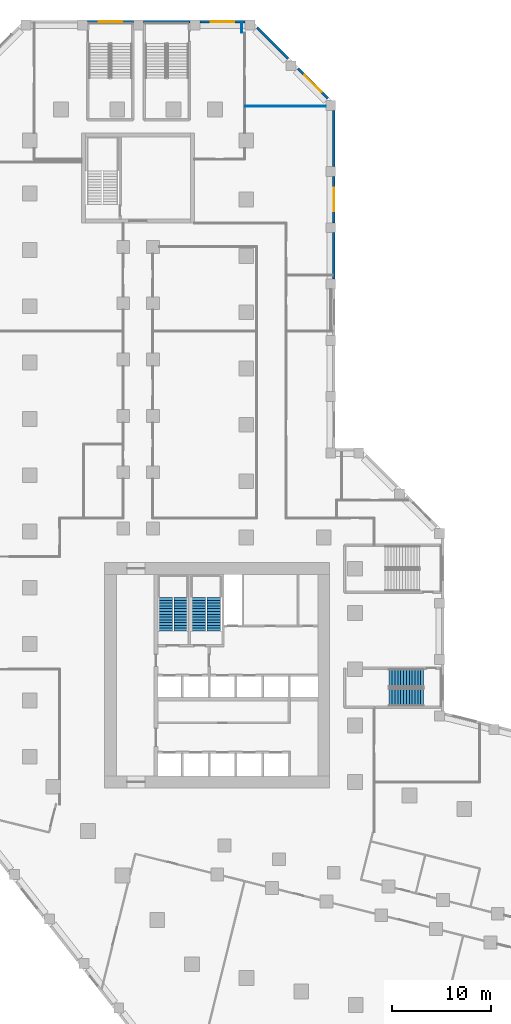
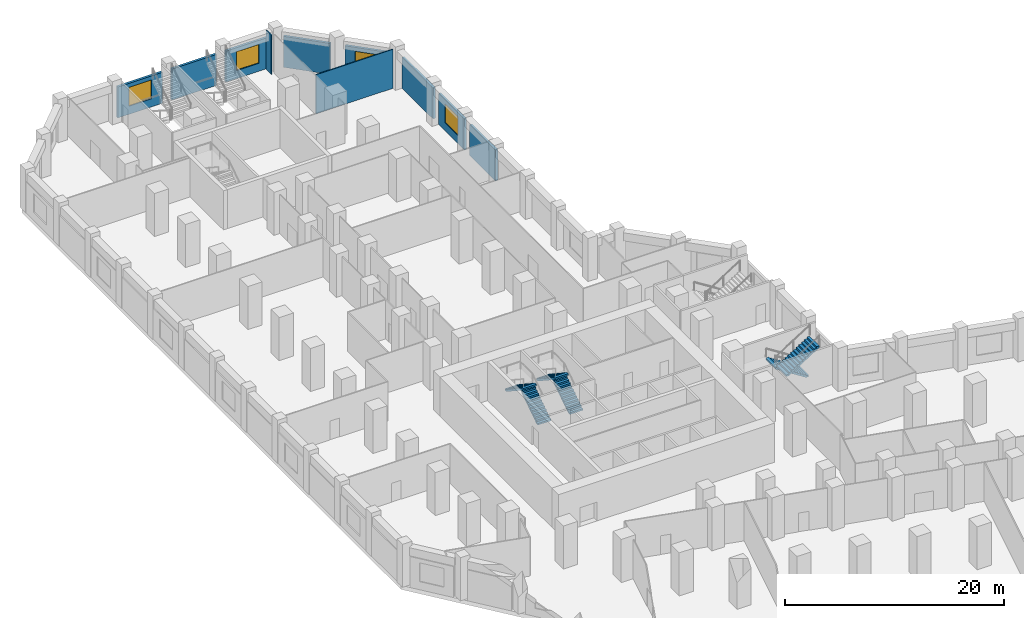
# One storey, part 10 of 15: 10 walls, 6 stair flights, 4 windows, 4 openings, 3 elements without a shape of their own.
"""IFC4 building model written with IfcOpenShell, lengths in metres."""

import ifcopenshell
import ifcopenshell.guid

model = None  # the IFC model being written
_history = None  # IfcOwnerHistory: only IFC2X3 demands one
_inside = {}  # id of a spatial element -> (the spatial element, [elements in it])
_under = {}  # id of a project, library or spatial element -> (it, [spatial elements below it])
_declared = {}  # id of a project -> (the project, [libraries it declares])
_typed = {}  # id of a type object -> (the type object, [elements of that type])
_made_of = {}  # id of a material, layer set ... -> (it, [elements and type objects made of it])


def new_model(schema):
    """Start an empty IFC model of exactly this schema.

    Asked for "IFC4X3", IfcOpenShell would pick the latest addendum, in which some entities
    have other attributes; the version numbers below select the first issue.
    IFC2X3 requires an IfcOwnerHistory on every rooted entity: one is made here for all.
    """
    global model, _history
    if schema == "IFC4X3":
        model = ifcopenshell.file(schema_version=(4, 3, 0, 0))
    else:
        model = ifcopenshell.file(schema=schema)
    _inside.clear()
    _under.clear()
    _declared.clear()
    _typed.clear()
    _made_of.clear()
    _history = None
    if model.schema == "IFC2X3":
        org = make("IfcOrganization", Name="unknown")
        user = make(
            "IfcPersonAndOrganization",
            ThePerson=make("IfcPerson", FamilyName="unknown"),
            TheOrganization=org,
        )
        app = make(
            "IfcApplication",
            ApplicationDeveloper=org,
            Version="unknown",
            ApplicationFullName="unknown",
            ApplicationIdentifier="unknown",
        )
        _history = make(
            "IfcOwnerHistory",
            OwningUser=user,
            OwningApplication=app,
            ChangeAction="ADDED",
            CreationDate=0,
        )
    return model


def make(cls, **values):
    """One entity of the class cls with the attributes given. An attribute that is None is left unset."""
    return model.create_entity(
        cls, **{name: value for name, value in values.items() if value is not None}
    )


def rooted(cls, **values):
    """An entity with a GlobalId (a new one), such as an element, a storey or a relation."""
    return make(cls, GlobalId=ifcopenshell.guid.new(), OwnerHistory=_history, **values)


def si_unit(unit_type, name, prefix=None):
    """IfcSIUnit, for example si_unit("LENGTHUNIT", "METRE", prefix="MILLI")."""
    return make("IfcSIUnit", UnitType=unit_type, Prefix=prefix, Name=name)


def assignment(units):
    """IfcUnitAssignment: the units of a project."""
    return None if units is None else make("IfcUnitAssignment", Units=units)


def point(xyz):
    """IfcCartesianPoint."""
    return None if xyz is None else make("IfcCartesianPoint", Coordinates=xyz)


def direction(xyz):
    """IfcDirection."""
    return None if xyz is None else make("IfcDirection", DirectionRatios=xyz)


def frame(location, z_axis=None, x_axis=None):
    """IfcAxis2Placement3D, a coordinate frame: its origin and axes. An axis left out is left unset."""
    return make(
        "IfcAxis2Placement3D",
        Location=point(location),
        Axis=direction(z_axis),
        RefDirection=direction(x_axis),
    )


def frame_2d(location, x_axis=None):
    """IfcAxis2Placement2D, a coordinate frame in the plane: its origin and x axis."""
    return make(
        "IfcAxis2Placement2D", Location=point(location), RefDirection=direction(x_axis)
    )


def origin():
    """The frame at (0, 0, 0) with its axes left unset."""
    return frame((0.0, 0.0, 0.0))


def place(relative_to, where):
    """IfcLocalPlacement: puts the frame where relative to a parent placement (None: the world)."""
    return make(
        "IfcLocalPlacement", PlacementRelTo=relative_to, RelativePlacement=where
    )


def context(
    kind, dimensions, precision=None, world=None, true_north=None, identifier=None
):
    """IfcGeometricRepresentationContext, for example the 3D "Model" context."""
    return make(
        "IfcGeometricRepresentationContext",
        ContextIdentifier=identifier,
        ContextType=kind,
        CoordinateSpaceDimension=dimensions,
        Precision=precision,
        WorldCoordinateSystem=world,
        TrueNorth=true_north,
    )


def subcontext(parent, identifier, kind, view, scale=None):
    """IfcGeometricRepresentationSubContext, for example "Body" below "Model"."""
    return make(
        "IfcGeometricRepresentationSubContext",
        ContextIdentifier=identifier,
        ContextType=kind,
        ParentContext=parent,
        TargetScale=scale,
        TargetView=view,
    )


def project(units=None, contexts=None):
    """IfcProject with its units and contexts."""
    return rooted(
        "IfcProject",
        Name="project",
        RepresentationContexts=contexts,
        UnitsInContext=assignment(units),
    )


def spatial(cls, under=None, at=None, **own):
    """A site, building, storey or space (cls), placed at a placement, below another one or the project."""
    s = rooted(cls, ObjectPlacement=at, **own)
    if under is not None:
        _under.setdefault(under.id(), (under, []))[1].append(s)
    return s


def polyline(points):
    """IfcPolyline through the points."""
    return make("IfcPolyline", Points=[point(p) for p in points])


def profile(cls, at=None, kind="AREA", **sizes):
    """A parametric profile (cls). Its sizes go by their IFC names, for example OverallWidth=200.0."""
    return make(cls, ProfileType=kind, Position=at, **sizes)


def rectangle(**sizes):
    """IfcRectangleProfileDef."""
    return profile("IfcRectangleProfileDef", **sizes)


def outline(outer, holes=None, kind="AREA"):
    """IfcArbitraryClosedProfileDef: a profile drawn as a closed curve; with holes, ...WithVoids."""
    if holes is None:
        return make("IfcArbitraryClosedProfileDef", ProfileType=kind, OuterCurve=outer)
    return make(
        "IfcArbitraryProfileDefWithVoids",
        ProfileType=kind,
        OuterCurve=outer,
        InnerCurves=holes,
    )


def extrude(swept, where, along, depth):
    """IfcExtrudedAreaSolid: the profile swept, set in the frame where, extruded along a direction by depth."""
    return make(
        "IfcExtrudedAreaSolid",
        SweptArea=swept,
        Position=where,
        ExtrudedDirection=direction(along),
        Depth=depth,
    )


def shape(context_of_items, identifier, shape_type, items):
    """IfcShapeRepresentation: the items that make up one representation, for example the "Body"."""
    return make(
        "IfcShapeRepresentation",
        ContextOfItems=context_of_items,
        RepresentationIdentifier=identifier,
        RepresentationType=shape_type,
        Items=items,
    )


def material(Name=None, Category=None):
    """IfcMaterial."""
    return make("IfcMaterial", Name=Name, Category=Category)


def layer(
    of_material, thickness, ventilated=None, Name=None, Category=None, Priority=None
):
    """IfcMaterialLayer: one layer of a wall or slab, of a material (None: an air gap)."""
    return make(
        "IfcMaterialLayer",
        Material=of_material,
        LayerThickness=thickness,
        IsVentilated=ventilated,
        Name=Name,
        Category=Category,
        Priority=Priority,
    )


def layer_set(layers, Name=None):
    """IfcMaterialLayerSet."""
    return make("IfcMaterialLayerSet", MaterialLayers=layers, LayerSetName=Name)


def made_of(thing, what):
    """Note that an element or type object is made of a material, layer set ...; save() writes the relation."""
    if what is not None:
        _made_of.setdefault(what.id(), (what, []))[1].append(thing)
    return thing


def type_object(cls, material=None, **own):
    """A type object (cls), such as IfcWallType, which elements share."""
    return made_of(rooted(cls, **own), material)


def element(
    cls,
    number,
    at=None,
    inside=None,
    cuts=None,
    type_object=None,
    material=None,
    context=None,
    identifier="Body",
    shape_type=None,
    held_by="IfcProductDefinitionShape",
    body=None,
    shapes=None,
    **own,
):
    """One element of the class cls, such as IfcWall. Its Tag is "e" and its number.

    at: its placement. inside: the storey or other place that contains it. cuts: it is an
    opening in that element (IfcRelVoidsElement). A single representation is given by context,
    identifier, shape_type and body (its items); several are given by shapes. held_by: the class
    of the entity that holds the representations. save() writes the other relations.
    """
    e = rooted(cls, Tag="e%d" % number, ObjectPlacement=at, **own)
    if body is not None:
        shapes = [shape(context, identifier, shape_type, body)]
    if shapes is not None:
        e.Representation = make(held_by, Representations=shapes)
    if inside is not None:
        _inside.setdefault(inside.id(), (inside, []))[1].append(e)
    if cuts is not None:
        rooted(
            "IfcRelVoidsElement", RelatingBuildingElement=cuts, RelatedOpeningElement=e
        )
    if type_object is not None:
        _typed.setdefault(type_object.id(), (type_object, []))[1].append(e)
    return made_of(e, material)


def fill(opening, filler):
    """IfcRelFillsElement: the door or window that sits in an opening."""
    return rooted(
        "IfcRelFillsElement",
        RelatingOpeningElement=opening,
        RelatedBuildingElement=filler,
    )


def aggregate(whole, parts):
    """IfcRelAggregates: a whole, such as a stair, and the parts it consists of."""
    return rooted("IfcRelAggregates", RelatingObject=whole, RelatedObjects=parts)


def save(model, path):
    """Write the relations noted so far, then the file.

    IfcRelAggregates (storeys below a building ...), IfcRelContainedInSpatialStructure (elements
    in a storey), IfcRelDefinesByType, IfcRelAssociatesMaterial and IfcRelDeclares: one each for
    every whole, place, type object, material and project.
    """
    for whole, parts in _under.values():
        aggregate(whole, parts)
    for where, things in _inside.values():
        rooted(
            "IfcRelContainedInSpatialStructure",
            RelatedElements=things,
            RelatingStructure=where,
        )
    for kind, things in _typed.values():
        rooted("IfcRelDefinesByType", RelatedObjects=things, RelatingType=kind)
    for what, things in _made_of.values():
        rooted("IfcRelAssociatesMaterial", RelatedObjects=things, RelatingMaterial=what)
    for by, libraries in _declared.values():
        rooted("IfcRelDeclares", RelatingContext=by, RelatedDefinitions=libraries)
    model.write(path)


model = new_model("IFC4")

# Units and contexts
model_context = context("Model", 3, precision=1e-05, world=origin(), true_north=direction((0.0, 1.0)))
body_context = subcontext(model_context, "Body", "Model", "MODEL_VIEW")
ifc_project = project(units=[si_unit("LENGTHUNIT", "METRE"), si_unit("AREAUNIT", "SQUARE_METRE"), si_unit("VOLUMEUNIT", "CUBIC_METRE"), si_unit("PLANEANGLEUNIT", "RADIAN"), si_unit("MASSUNIT", "GRAM", prefix="KILO")], contexts=[model_context])

# Site, building, storey
site_placement = place(None, origin())
site = spatial("IfcSite", under=ifc_project, at=site_placement, CompositionType="ELEMENT")
building_placement = place(site_placement, origin())
building = spatial("IfcBuilding", under=site, at=building_placement, Name="Meshkara Civic Tower", CompositionType="ELEMENT")
storey_placement = place(building_placement, frame((0.0, 0.0, 23.39990234375)))
storey = spatial("IfcBuildingStorey", under=building, at=storey_placement, Name="L04", CompositionType="ELEMENT", Elevation=23.39990234375)

# Wall
ifc_material_1 = material(Name="Corridor wall 100")
ifc_layer_1 = layer(ifc_material_1, 0.10009765625)
ifc_layer_set_1 = layer_set([ifc_layer_1], Name="Corridor wall 100")
wall_type_1 = type_object("IfcWallType", Name="Corridor wall 100", PredefinedType="PARTITIONING", material=ifc_layer_set_1)
wall_1_placement = place(storey_placement, frame((21.89990234375, 90.52001953125, 0.0), z_axis=(0.0, 0.0, 1.0), x_axis=(0.0, 1.0, 0.0)))
element("IfcWall", 1, at=wall_1_placement, inside=storey, type_object=wall_type_1, Name="L04-R036", PredefinedType="PARTITIONING", context=body_context, shape_type="SweptSolid", body=[
    extrude(rectangle(XDim=1.0, YDim=0.10009765625, at=frame_2d((0.5, 0.0))), origin(), (0.0, 0.0, 1.0), 4.35009765625),
])

# Wall, opening, window
ifc_material_2 = material(Name="Stone cladding on insulated backing wall", Category="masonry")
ifc_layer_2 = layer(ifc_material_2, 0.25)
ifc_layer_set_2 = layer_set([ifc_layer_2], Name="PODIUM STONE WALL 250")
wall_type_2 = type_object("IfcWallType", Name="PODIUM STONE WALL 250", PredefinedType="SOLIDWALL", material=ifc_layer_set_2)
wall_2_placement = place(storey_placement, frame((30.6298828125, 83.885986328125, 0.0), z_axis=(0.0, 0.0, 1.0), x_axis=(-0.707078301545, 0.707135259681, 0.0)))
wall_2 = element("IfcWall", 2, at=wall_2_placement, inside=storey, type_object=wall_type_2, Name="Podium external wall", PredefinedType="SOLIDWALL", context=body_context, shape_type="SweptSolid", body=[
    extrude(rectangle(XDim=4.286376953125, YDim=0.25, at=frame_2d((2.14306640625, 0.0))), origin(), (0.0, 0.0, 1.0), 3.4501953125),
])
opening_1_placement = place(wall_2_placement, frame((0.943115234375, 0.0, 0.89990234375)))
opening_1 = element("IfcOpeningElement", 3, at=opening_1_placement, cuts=wall_2, Name="Opening PW10", PredefinedType="OPENING", context=body_context, shape_type="SweptSolid", body=[
    extrude(rectangle(XDim=2.39990234375, YDim=2.10009765625, at=frame_2d((1.199951171875, 1.050048828125))), frame((0.0, 0.135009765625, 0.0), z_axis=(0.0, -1.0, 0.0), x_axis=(1.0, 0.0, 0.0)), (0.0, 0.0, 1.0), 0.27001953125),
])
ifc_material_3 = material(Name="Tinted double glazing", Category="glass")
window_type = type_object("IfcWindowType", Name="PODIUM WINDOW 2400x2100", PartitioningType="DOUBLE_PANEL_VERTICAL", PredefinedType="WINDOW", material=ifc_material_3)
window_1_placement = place(opening_1_placement, origin())
window_1 = element("IfcWindow", 4, at=window_1_placement, inside=storey, type_object=window_type, Name="Podium window", OverallHeight=2.10009765625, OverallWidth=2.39990234375, PartitioningType="DOUBLE_PANEL_VERTICAL", PredefinedType="WINDOW", context=body_context, shape_type="SweptSolid", body=[
    extrude(rectangle(XDim=2.39990234375, YDim=2.10009765625, at=frame_2d((1.199951171875, 1.050048828125))), frame((0.0, 0.030029296875, 0.0), z_axis=(0.0, -1.0, 0.0), x_axis=(1.0, 0.0, 0.0)), (0.0, 0.0, 1.0), 0.06005859375),
])
fill(opening_1, window_1)

# Wall
wall_3_placement = place(storey_placement, frame((26.59912109375, 87.9169921875, 0.0), z_axis=(0.0, 0.0, 1.0), x_axis=(-0.707106781187, 0.707106781187, 0.0)))
element("IfcWall", 5, at=wall_3_placement, inside=storey, type_object=wall_type_2, Name="Podium external wall", PredefinedType="SOLIDWALL", context=body_context, shape_type="SweptSolid", body=[
    extrude(rectangle(XDim=4.430908203125, YDim=0.25, at=frame_2d((2.21533203125, 0.0))), origin(), (0.0, 0.0, 1.0), 3.4501953125),
])

# Wall, opening, window
wall_4_placement = place(storey_placement, frame((22.236083984375, 91.64501953125, 0.0), z_axis=(0.0, 0.0, 1.0), x_axis=(-1.0, 0.0, 0.0)))
wall_4 = element("IfcWall", 6, at=wall_4_placement, inside=storey, type_object=wall_type_2, Name="Podium external wall", PredefinedType="SOLIDWALL", context=body_context, shape_type="SweptSolid", body=[
    extrude(rectangle(XDim=4.572021484375, YDim=0.25, at=frame_2d((2.2861328125, 0.0))), origin(), (0.0, 0.0, 1.0), 3.4501953125),
])
opening_2_placement = place(wall_4_placement, frame((1.0859375, 0.0, 0.89990234375)))
opening_2 = element("IfcOpeningElement", 7, at=opening_2_placement, cuts=wall_4, Name="Opening PW10", PredefinedType="OPENING", context=body_context, shape_type="SweptSolid", body=[
    extrude(rectangle(XDim=2.39990234375, YDim=2.10009765625, at=frame_2d((1.199951171875, 1.050048828125))), frame((0.0, 0.135009765625, 0.0), z_axis=(0.0, -1.0, 0.0), x_axis=(1.0, 0.0, 0.0)), (0.0, 0.0, 1.0), 0.27001953125),
])
window_2_placement = place(opening_2_placement, origin())
window_2 = element("IfcWindow", 8, at=window_2_placement, inside=storey, type_object=window_type, Name="Podium window", OverallHeight=2.10009765625, OverallWidth=2.39990234375, PartitioningType="DOUBLE_PANEL_VERTICAL", PredefinedType="WINDOW", context=body_context, shape_type="SweptSolid", body=[
    extrude(rectangle(XDim=2.39990234375, YDim=2.10009765625, at=frame_2d((1.199951171875, 1.050048828125))), frame((0.0, 0.030029296875, 0.0), z_axis=(0.0, -1.0, 0.0), x_axis=(1.0, 0.0, 0.0)), (0.0, 0.0, 1.0), 0.06005859375),
])
fill(opening_2, window_2)

# Wall
wall_5_placement = place(storey_placement, frame((16.6640625, 91.64501953125, 0.0), z_axis=(0.0, 0.0, 1.0), x_axis=(-1.0, 0.0, 0.0)))
element("IfcWall", 9, at=wall_5_placement, inside=storey, type_object=wall_type_2, Name="Podium external wall", PredefinedType="SOLIDWALL", context=body_context, shape_type="SweptSolid", body=[
    extrude(rectangle(XDim=4.699951171875, YDim=0.25, at=frame_2d((2.35009765625, 0.0))), origin(), (0.0, 0.0, 1.0), 3.4501953125),
])

# Wall, opening, window
wall_6_placement = place(storey_placement, frame((10.964111328125, 91.64501953125, 0.0), z_axis=(0.0, 0.0, 1.0), x_axis=(-1.0, 0.0, 0.0)))
wall_6 = element("IfcWall", 10, at=wall_6_placement, inside=storey, type_object=wall_type_2, Name="Podium external wall", PredefinedType="SOLIDWALL", context=body_context, shape_type="SweptSolid", body=[
    extrude(rectangle(XDim=4.7001953125, YDim=0.25, at=frame_2d((2.35009765625, 0.0))), origin(), (0.0, 0.0, 1.0), 3.4501953125),
])
opening_3_placement = place(wall_6_placement, frame((1.14990234375, 0.0, 0.89990234375)))
opening_3 = element("IfcOpeningElement", 11, at=opening_3_placement, cuts=wall_6, Name="Opening PW10", PredefinedType="OPENING", context=body_context, shape_type="SweptSolid", body=[
    extrude(rectangle(XDim=2.39990234375, YDim=2.10009765625, at=frame_2d((1.199951171875, 1.050048828125))), frame((0.0, 0.135009765625, 0.0), z_axis=(0.0, -1.0, 0.0), x_axis=(1.0, 0.0, 0.0)), (0.0, 0.0, 1.0), 0.27001953125),
])
window_3_placement = place(opening_3_placement, origin())
window_3 = element("IfcWindow", 12, at=window_3_placement, inside=storey, type_object=window_type, Name="Podium window", OverallHeight=2.10009765625, OverallWidth=2.39990234375, PartitioningType="DOUBLE_PANEL_VERTICAL", PredefinedType="WINDOW", context=body_context, shape_type="SweptSolid", body=[
    extrude(rectangle(XDim=2.39990234375, YDim=2.10009765625, at=frame_2d((1.199951171875, 1.050048828125))), frame((0.0, 0.030029296875, 0.0), z_axis=(0.0, -1.0, 0.0), x_axis=(1.0, 0.0, 0.0)), (0.0, 0.0, 1.0), 0.06005859375),
])
fill(opening_3, window_3)

# Wall
wall_7_placement = place(storey_placement, frame((31.22509765625, 65.60009765625, 0.0), z_axis=(0.0, 0.0, 1.0), x_axis=(0.0, 1.0, 0.0)))
element("IfcWall", 13, at=wall_7_placement, inside=storey, type_object=wall_type_2, Name="Podium external wall", PredefinedType="SOLIDWALL", context=body_context, shape_type="SweptSolid", body=[
    extrude(rectangle(XDim=4.699951171875, YDim=0.25, at=frame_2d((2.35009765625, 0.0))), origin(), (0.0, 0.0, 1.0), 3.4501953125),
])

# Wall, opening, window
wall_8_placement = place(storey_placement, frame((31.22509765625, 71.300048828125, 0.0), z_axis=(0.0, 0.0, 1.0), x_axis=(0.0, 1.0, 0.0)))
wall_8 = element("IfcWall", 14, at=wall_8_placement, inside=storey, type_object=wall_type_2, Name="Podium external wall", PredefinedType="SOLIDWALL", context=body_context, shape_type="SweptSolid", body=[
    extrude(rectangle(XDim=4.699951171875, YDim=0.25, at=frame_2d((2.35009765625, 0.0))), origin(), (0.0, 0.0, 1.0), 3.4501953125),
])
opening_4_placement = place(wall_8_placement, frame((1.14990234375, 0.0, 0.89990234375)))
opening_4 = element("IfcOpeningElement", 15, at=opening_4_placement, cuts=wall_8, Name="Opening PW10", PredefinedType="OPENING", context=body_context, shape_type="SweptSolid", body=[
    extrude(rectangle(XDim=2.39990234375, YDim=2.10009765625, at=frame_2d((1.199951171875, 1.050048828125))), frame((0.0, 0.135009765625, 0.0), z_axis=(0.0, -1.0, 0.0), x_axis=(1.0, 0.0, 0.0)), (0.0, 0.0, 1.0), 0.27001953125),
])
window_4_placement = place(opening_4_placement, origin())
window_4 = element("IfcWindow", 16, at=window_4_placement, inside=storey, type_object=window_type, Name="Podium window", OverallHeight=2.10009765625, OverallWidth=2.39990234375, PartitioningType="DOUBLE_PANEL_VERTICAL", PredefinedType="WINDOW", context=body_context, shape_type="SweptSolid", body=[
    extrude(rectangle(XDim=2.39990234375, YDim=2.10009765625, at=frame_2d((1.199951171875, 1.050048828125))), frame((0.0, 0.030029296875, 0.0), z_axis=(0.0, -1.0, 0.0), x_axis=(1.0, 0.0, 0.0)), (0.0, 0.0, 1.0), 0.06005859375),
])
fill(opening_4, window_4)

# Walls
wall_9_placement = place(storey_placement, frame((31.22509765625, 77.0, 0.0), z_axis=(0.0, 0.0, 1.0), x_axis=(0.0, 1.0, 0.0)))
element("IfcWall", 17, at=wall_9_placement, inside=storey, type_object=wall_type_2, Name="Podium external wall", PredefinedType="SOLIDWALL", context=body_context, shape_type="SweptSolid", body=[
    extrude(rectangle(XDim=5.656005859375, YDim=0.25, at=frame_2d((2.828125, 0.0))), origin(), (0.0, 0.0, 1.0), 3.4501953125),
])
ifc_material_4 = material(Name="Partition 100")
ifc_layer_3 = layer(ifc_material_4, 0.10009765625)
ifc_layer_set_3 = layer_set([ifc_layer_3], Name="Partition 100")
wall_type_3 = type_object("IfcWallType", Name="Partition 100", PredefinedType="PARTITIONING", material=ifc_layer_set_3)
wall_10_placement = place(storey_placement, frame((30.3798828125, 83.10009765625, 0.0), z_axis=(0.0, 0.0, 1.0), x_axis=(-1.0, 0.0, 0.0)))
element("IfcWall", 18, at=wall_10_placement, inside=storey, type_object=wall_type_3, Name="L04-R092", PredefinedType="PARTITIONING", context=body_context, shape_type="SweptSolid", body=[
    extrude(rectangle(XDim=8.1298828125, YDim=0.10009765625, at=frame_2d((4.06494140625, 0.0))), origin(), (0.0, 0.0, 1.0), 4.35009765625),
])

# Stair, stair flights
ifc_material_5 = material(Name="Precast concrete C40/50", Category="concrete")
stair_type_1 = type_object("IfcStairType", Name="Exit stair half-turn 26 risers precast", PredefinedType="HALF_TURN_STAIR", material=ifc_material_5)
stair_1_placement = place(storey_placement, origin())
stair_1 = element("IfcStair", 19, at=stair_1_placement, inside=storey, type_object=stair_type_1, Name="L04 exit stair 1", PredefinedType="HALF_TURN_STAIR")
ifc_material_6 = material(Name="Precast concrete C40/50", Category="concrete")
stair_flight_type_1 = type_object("IfcStairFlightType", Name="Exit stair flight 13 risers precast", PredefinedType="STRAIGHT", material=ifc_material_6)
stair_flight_1_placement = place(storey_placement, frame((15.72509765625, 30.0, 0.0), z_axis=(0.0, 0.0, 1.0), x_axis=(0.0, 1.0, 0.0)))
stair_flight_1 = element("IfcStairFlight", 20, at=stair_flight_1_placement, type_object=stair_flight_type_1, Name="ST1 flight 1", NumberOfRisers=13, NumberOfTreads=12, PredefinedType="STRAIGHT", RiserHeight=0.184615385, TreadLength=0.28, context=body_context, shape_type="SweptSolid", body=[
    extrude(outline(polyline([(0.0, 0.0), (0.0, 0.1845703125), (0.280029296875, 0.1845703125), (0.280029296875, 0.369140625), (0.56005859375, 0.369140625), (0.56005859375, 0.553955078125), (0.840087890625, 0.553955078125), (0.840087890625, 0.738525390625), (1.1201171875, 0.738525390625), (1.1201171875, 0.923095703125), (1.39990234375, 0.923095703125), (1.39990234375, 1.107666015625), (1.679931640625, 1.107666015625), (1.679931640625, 1.292236328125), (1.9599609375, 1.292236328125), (1.9599609375, 1.476806640625), (2.239990234375, 1.476806640625), (2.239990234375, 1.66162109375), (2.52001953125, 1.66162109375), (2.52001953125, 1.84619140625), (2.800048828125, 1.84619140625), (2.800048828125, 2.03076171875), (3.080078125, 2.03076171875), (3.080078125, 2.21533203125), (3.360107421875, 2.21533203125), (3.360107421875, 2.39990234375), (3.360107421875, 2.035888671875), (0.272216796875, 0.0), (0.0, 0.0)])), frame((0.0, 0.699951171875, 0.0), z_axis=(0.0, -1.0, 0.0), x_axis=(1.0, 0.0, 0.0)), (0.0, 0.0, 1.0), 1.39990234375),
])
stair_flight_2_placement = place(storey_placement, frame((14.175048828125, 33.360107421875, 2.400146484375), z_axis=(0.0, 0.0, 1.0), x_axis=(0.0, -1.0, 0.0)))
stair_flight_2 = element("IfcStairFlight", 21, at=stair_flight_2_placement, type_object=stair_flight_type_1, Name="ST1 flight 2", NumberOfRisers=13, NumberOfTreads=12, PredefinedType="STRAIGHT", RiserHeight=0.184615385, TreadLength=0.28, context=body_context, shape_type="SweptSolid", body=[
    extrude(outline(polyline([(0.0, 0.0), (0.0, 0.1845703125), (0.280029296875, 0.1845703125), (0.280029296875, 0.369140625), (0.56005859375, 0.369140625), (0.56005859375, 0.553955078125), (0.840087890625, 0.553955078125), (0.840087890625, 0.738525390625), (1.1201171875, 0.738525390625), (1.1201171875, 0.923095703125), (1.39990234375, 0.923095703125), (1.39990234375, 1.107666015625), (1.679931640625, 1.107666015625), (1.679931640625, 1.292236328125), (1.9599609375, 1.292236328125), (1.9599609375, 1.476806640625), (2.239990234375, 1.476806640625), (2.239990234375, 1.66162109375), (2.52001953125, 1.66162109375), (2.52001953125, 1.84619140625), (2.800048828125, 1.84619140625), (2.800048828125, 2.03076171875), (3.080078125, 2.03076171875), (3.080078125, 2.21533203125), (3.360107421875, 2.21533203125), (3.360107421875, 2.39990234375), (3.360107421875, 2.035888671875), (0.272216796875, 0.0), (0.0, 0.0)])), frame((0.0, 0.699951171875, 0.0), z_axis=(0.0, -1.0, 0.0), x_axis=(1.0, 0.0, 0.0)), (0.0, 0.0, 1.0), 1.39990234375),
])
aggregate(stair_1, [stair_flight_1, stair_flight_2])

stair_2_placement = place(storey_placement, origin())
stair_2 = element("IfcStair", 22, at=stair_2_placement, inside=storey, type_object=stair_type_1, Name="L04 exit stair 2", PredefinedType="HALF_TURN_STAIR")
stair_flight_3_placement = place(storey_placement, frame((19.074951171875, 30.0, 0.0), z_axis=(0.0, 0.0, 1.0), x_axis=(0.0, 1.0, 0.0)))
stair_flight_3 = element("IfcStairFlight", 23, at=stair_flight_3_placement, type_object=stair_flight_type_1, Name="ST2 flight 1", NumberOfRisers=13, NumberOfTreads=12, PredefinedType="STRAIGHT", RiserHeight=0.184615385, TreadLength=0.28, context=body_context, shape_type="SweptSolid", body=[
    extrude(outline(polyline([(0.0, 0.0), (0.0, 0.1845703125), (0.280029296875, 0.1845703125), (0.280029296875, 0.369140625), (0.56005859375, 0.369140625), (0.56005859375, 0.553955078125), (0.840087890625, 0.553955078125), (0.840087890625, 0.738525390625), (1.1201171875, 0.738525390625), (1.1201171875, 0.923095703125), (1.39990234375, 0.923095703125), (1.39990234375, 1.107666015625), (1.679931640625, 1.107666015625), (1.679931640625, 1.292236328125), (1.9599609375, 1.292236328125), (1.9599609375, 1.476806640625), (2.239990234375, 1.476806640625), (2.239990234375, 1.66162109375), (2.52001953125, 1.66162109375), (2.52001953125, 1.84619140625), (2.800048828125, 1.84619140625), (2.800048828125, 2.03076171875), (3.080078125, 2.03076171875), (3.080078125, 2.21533203125), (3.360107421875, 2.21533203125), (3.360107421875, 2.39990234375), (3.360107421875, 2.035888671875), (0.272216796875, 0.0), (0.0, 0.0)])), frame((0.0, 0.699951171875, 0.0), z_axis=(0.0, -1.0, 0.0), x_axis=(1.0, 0.0, 0.0)), (0.0, 0.0, 1.0), 1.39990234375),
])
stair_flight_4_placement = place(storey_placement, frame((17.52490234375, 33.360107421875, 2.400146484375), z_axis=(0.0, 0.0, 1.0), x_axis=(0.0, -1.0, 0.0)))
stair_flight_4 = element("IfcStairFlight", 24, at=stair_flight_4_placement, type_object=stair_flight_type_1, Name="ST2 flight 2", NumberOfRisers=13, NumberOfTreads=12, PredefinedType="STRAIGHT", RiserHeight=0.184615385, TreadLength=0.28, context=body_context, shape_type="SweptSolid", body=[
    extrude(outline(polyline([(0.0, 0.0), (0.0, 0.1845703125), (0.280029296875, 0.1845703125), (0.280029296875, 0.369140625), (0.56005859375, 0.369140625), (0.56005859375, 0.553955078125), (0.840087890625, 0.553955078125), (0.840087890625, 0.738525390625), (1.1201171875, 0.738525390625), (1.1201171875, 0.923095703125), (1.39990234375, 0.923095703125), (1.39990234375, 1.107666015625), (1.679931640625, 1.107666015625), (1.679931640625, 1.292236328125), (1.9599609375, 1.292236328125), (1.9599609375, 1.476806640625), (2.239990234375, 1.476806640625), (2.239990234375, 1.66162109375), (2.52001953125, 1.66162109375), (2.52001953125, 1.84619140625), (2.800048828125, 1.84619140625), (2.800048828125, 2.03076171875), (3.080078125, 2.03076171875), (3.080078125, 2.21533203125), (3.360107421875, 2.21533203125), (3.360107421875, 2.39990234375), (3.360107421875, 2.035888671875), (0.272216796875, 0.0), (0.0, 0.0)])), frame((0.0, 0.699951171875, 0.0), z_axis=(0.0, -1.0, 0.0), x_axis=(1.0, 0.0, 0.0)), (0.0, 0.0, 1.0), 1.39990234375),
])
aggregate(stair_2, [stair_flight_3, stair_flight_4])

ifc_material_7 = material(Name="Precast concrete C40/50", Category="concrete")
stair_type_2 = type_object("IfcStairType", Name="Podium exit stair half-turn 26 risers 1800 wide precast", PredefinedType="HALF_TURN_STAIR", material=ifc_material_7)
stair_3_placement = place(storey_placement, origin())
stair_3 = element("IfcStair", 25, at=stair_3_placement, inside=storey, type_object=stair_type_2, Name="L04 podium exit stair PS5", PredefinedType="HALF_TURN_STAIR")
ifc_material_8 = material(Name="Precast concrete C40/50", Category="concrete")
stair_flight_type_2 = type_object("IfcStairFlightType", Name="Podium exit stair flight 13 risers 1800 wide precast", PredefinedType="STRAIGHT", material=ifc_material_8)
stair_flight_5_placement = place(storey_placement, frame((40.300048828125, 25.22509765625, 0.0), z_axis=(0.0, 0.0, 1.0), x_axis=(-1.0, 0.0, 0.0)))
stair_flight_5 = element("IfcStairFlight", 26, at=stair_flight_5_placement, type_object=stair_flight_type_2, Name="PS5 flight 1", NumberOfRisers=13, NumberOfTreads=12, PredefinedType="STRAIGHT", RiserHeight=0.184615385, TreadLength=0.29, context=body_context, shape_type="SweptSolid", body=[
    extrude(outline(polyline([(0.0, 0.0), (0.0, 0.1845703125), (0.2900390625, 0.1845703125), (0.2900390625, 0.369140625), (0.580078125, 0.369140625), (0.580078125, 0.553955078125), (0.8701171875, 0.553955078125), (0.8701171875, 0.738525390625), (1.159912109375, 0.738525390625), (1.159912109375, 0.923095703125), (1.449951171875, 0.923095703125), (1.449951171875, 1.107666015625), (1.739990234375, 1.107666015625), (1.739990234375, 1.292236328125), (2.030029296875, 1.292236328125), (2.030029296875, 1.476806640625), (2.320068359375, 1.476806640625), (2.320068359375, 1.66162109375), (2.610107421875, 1.66162109375), (2.610107421875, 1.84619140625), (2.89990234375, 1.84619140625), (2.89990234375, 2.03076171875), (3.18994140625, 2.03076171875), (3.18994140625, 2.21533203125), (3.47998046875, 2.21533203125), (3.47998046875, 2.39990234375), (3.47998046875, 2.03759765625), (0.279052734375, 0.0), (0.0, 0.0)])), frame((0.0, 0.89990234375, 0.0), z_axis=(0.0, -1.0, 0.0), x_axis=(1.0, 0.0, 0.0)), (0.0, 0.0, 1.0), 1.800048828125),
])
stair_flight_6_placement = place(storey_placement, frame((36.820068359375, 23.27490234375, 2.400146484375), z_axis=(0.0, 0.0, 1.0), x_axis=(1.0, 0.0, 0.0)))
stair_flight_6 = element("IfcStairFlight", 27, at=stair_flight_6_placement, type_object=stair_flight_type_2, Name="PS5 flight 2", NumberOfRisers=13, NumberOfTreads=12, PredefinedType="STRAIGHT", RiserHeight=0.184615385, TreadLength=0.29, context=body_context, shape_type="SweptSolid", body=[
    extrude(outline(polyline([(0.0, 0.0), (0.0, 0.1845703125), (0.2900390625, 0.1845703125), (0.2900390625, 0.369140625), (0.580078125, 0.369140625), (0.580078125, 0.553955078125), (0.8701171875, 0.553955078125), (0.8701171875, 0.738525390625), (1.159912109375, 0.738525390625), (1.159912109375, 0.923095703125), (1.449951171875, 0.923095703125), (1.449951171875, 1.107666015625), (1.739990234375, 1.107666015625), (1.739990234375, 1.292236328125), (2.030029296875, 1.292236328125), (2.030029296875, 1.476806640625), (2.320068359375, 1.476806640625), (2.320068359375, 1.66162109375), (2.610107421875, 1.66162109375), (2.610107421875, 1.84619140625), (2.89990234375, 1.84619140625), (2.89990234375, 2.03076171875), (3.18994140625, 2.03076171875), (3.18994140625, 2.21533203125), (3.47998046875, 2.21533203125), (3.47998046875, 2.39990234375), (3.47998046875, 2.03759765625), (0.279052734375, 0.0), (0.0, 0.0)])), frame((0.0, 0.89990234375, 0.0), z_axis=(0.0, -1.0, 0.0), x_axis=(1.0, 0.0, 0.0)), (0.0, 0.0, 1.0), 1.800048828125),
])
aggregate(stair_3, [stair_flight_5, stair_flight_6])

save(model, "model.ifc")
